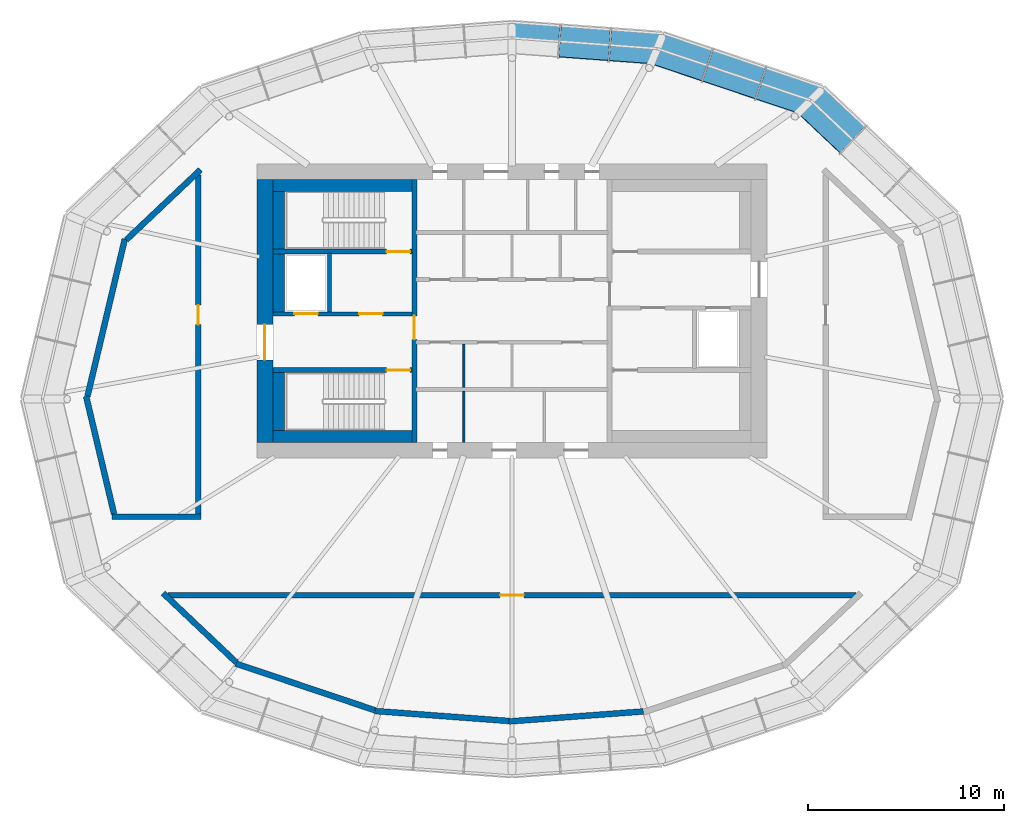
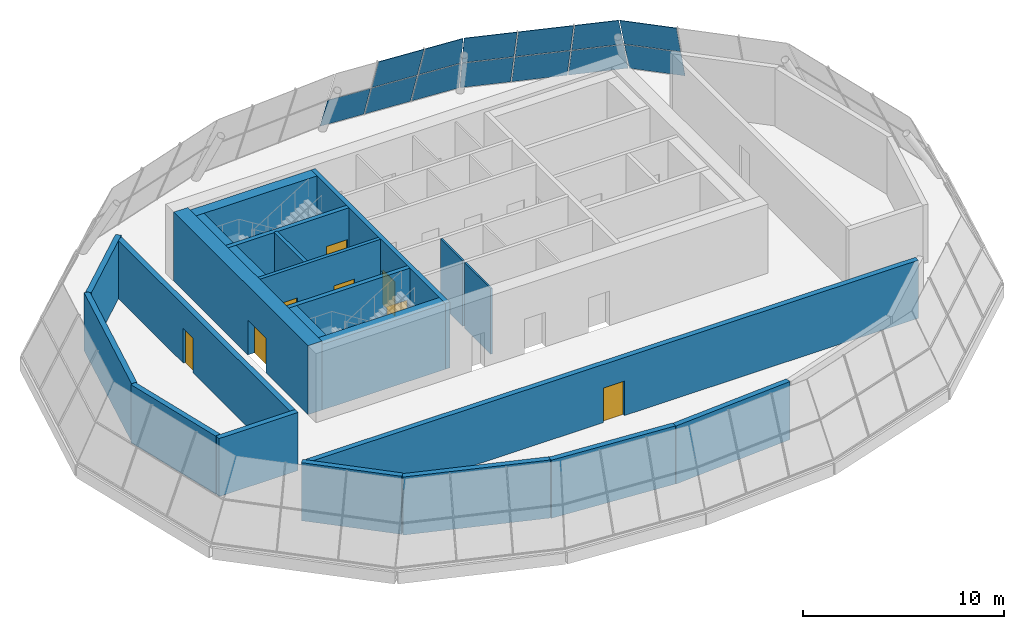
# One storey, part 5 of 8: 23 walls, 13 plates, 8 doors, 8 openings, 3 elements without a shape of their own.
"""IFC4 building model written with IfcOpenShell, lengths in metres."""

import ifcopenshell
import ifcopenshell.guid

model = None  # the IFC model being written
_history = None  # IfcOwnerHistory: only IFC2X3 demands one
_inside = {}  # id of a spatial element -> (the spatial element, [elements in it])
_under = {}  # id of a project, library or spatial element -> (it, [spatial elements below it])
_declared = {}  # id of a project -> (the project, [libraries it declares])
_typed = {}  # id of a type object -> (the type object, [elements of that type])
_made_of = {}  # id of a material, layer set ... -> (it, [elements and type objects made of it])


def new_model(schema):
    """Start an empty IFC model of exactly this schema.

    Asked for "IFC4X3", IfcOpenShell would pick the latest addendum, in which some entities
    have other attributes; the version numbers below select the first issue.
    IFC2X3 requires an IfcOwnerHistory on every rooted entity: one is made here for all.
    """
    global model, _history
    if schema == "IFC4X3":
        model = ifcopenshell.file(schema_version=(4, 3, 0, 0))
    else:
        model = ifcopenshell.file(schema=schema)
    _inside.clear()
    _under.clear()
    _declared.clear()
    _typed.clear()
    _made_of.clear()
    _history = None
    if model.schema == "IFC2X3":
        org = make("IfcOrganization", Name="unknown")
        user = make(
            "IfcPersonAndOrganization",
            ThePerson=make("IfcPerson", FamilyName="unknown"),
            TheOrganization=org,
        )
        app = make(
            "IfcApplication",
            ApplicationDeveloper=org,
            Version="unknown",
            ApplicationFullName="unknown",
            ApplicationIdentifier="unknown",
        )
        _history = make(
            "IfcOwnerHistory",
            OwningUser=user,
            OwningApplication=app,
            ChangeAction="ADDED",
            CreationDate=0,
        )
    return model


def make(cls, **values):
    """One entity of the class cls with the attributes given. An attribute that is None is left unset."""
    return model.create_entity(
        cls, **{name: value for name, value in values.items() if value is not None}
    )


def rooted(cls, **values):
    """An entity with a GlobalId (a new one), such as an element, a storey or a relation."""
    return make(cls, GlobalId=ifcopenshell.guid.new(), OwnerHistory=_history, **values)


def si_unit(unit_type, name, prefix=None):
    """IfcSIUnit, for example si_unit("LENGTHUNIT", "METRE", prefix="MILLI")."""
    return make("IfcSIUnit", UnitType=unit_type, Prefix=prefix, Name=name)


def assignment(units):
    """IfcUnitAssignment: the units of a project."""
    return None if units is None else make("IfcUnitAssignment", Units=units)


def point(xyz):
    """IfcCartesianPoint."""
    return None if xyz is None else make("IfcCartesianPoint", Coordinates=xyz)


def direction(xyz):
    """IfcDirection."""
    return None if xyz is None else make("IfcDirection", DirectionRatios=xyz)


def frame(location, z_axis=None, x_axis=None):
    """IfcAxis2Placement3D, a coordinate frame: its origin and axes. An axis left out is left unset."""
    return make(
        "IfcAxis2Placement3D",
        Location=point(location),
        Axis=direction(z_axis),
        RefDirection=direction(x_axis),
    )


def frame_2d(location, x_axis=None):
    """IfcAxis2Placement2D, a coordinate frame in the plane: its origin and x axis."""
    return make(
        "IfcAxis2Placement2D", Location=point(location), RefDirection=direction(x_axis)
    )


def origin():
    """The frame at (0, 0, 0) with its axes left unset."""
    return frame((0.0, 0.0, 0.0))


def place(relative_to, where):
    """IfcLocalPlacement: puts the frame where relative to a parent placement (None: the world)."""
    return make(
        "IfcLocalPlacement", PlacementRelTo=relative_to, RelativePlacement=where
    )


def context(
    kind, dimensions, precision=None, world=None, true_north=None, identifier=None
):
    """IfcGeometricRepresentationContext, for example the 3D "Model" context."""
    return make(
        "IfcGeometricRepresentationContext",
        ContextIdentifier=identifier,
        ContextType=kind,
        CoordinateSpaceDimension=dimensions,
        Precision=precision,
        WorldCoordinateSystem=world,
        TrueNorth=true_north,
    )


def subcontext(parent, identifier, kind, view, scale=None):
    """IfcGeometricRepresentationSubContext, for example "Body" below "Model"."""
    return make(
        "IfcGeometricRepresentationSubContext",
        ContextIdentifier=identifier,
        ContextType=kind,
        ParentContext=parent,
        TargetScale=scale,
        TargetView=view,
    )


def project(units=None, contexts=None):
    """IfcProject with its units and contexts."""
    return rooted(
        "IfcProject",
        Name="project",
        RepresentationContexts=contexts,
        UnitsInContext=assignment(units),
    )


def spatial(cls, under=None, at=None, **own):
    """A site, building, storey or space (cls), placed at a placement, below another one or the project."""
    s = rooted(cls, ObjectPlacement=at, **own)
    if under is not None:
        _under.setdefault(under.id(), (under, []))[1].append(s)
    return s


def polyline(points):
    """IfcPolyline through the points."""
    return make("IfcPolyline", Points=[point(p) for p in points])


def profile(cls, at=None, kind="AREA", **sizes):
    """A parametric profile (cls). Its sizes go by their IFC names, for example OverallWidth=200.0."""
    return make(cls, ProfileType=kind, Position=at, **sizes)


def rectangle(**sizes):
    """IfcRectangleProfileDef."""
    return profile("IfcRectangleProfileDef", **sizes)


def outline(outer, holes=None, kind="AREA"):
    """IfcArbitraryClosedProfileDef: a profile drawn as a closed curve; with holes, ...WithVoids."""
    if holes is None:
        return make("IfcArbitraryClosedProfileDef", ProfileType=kind, OuterCurve=outer)
    return make(
        "IfcArbitraryProfileDefWithVoids",
        ProfileType=kind,
        OuterCurve=outer,
        InnerCurves=holes,
    )


def extrude(swept, where, along, depth):
    """IfcExtrudedAreaSolid: the profile swept, set in the frame where, extruded along a direction by depth."""
    return make(
        "IfcExtrudedAreaSolid",
        SweptArea=swept,
        Position=where,
        ExtrudedDirection=direction(along),
        Depth=depth,
    )


def shape(context_of_items, identifier, shape_type, items):
    """IfcShapeRepresentation: the items that make up one representation, for example the "Body"."""
    return make(
        "IfcShapeRepresentation",
        ContextOfItems=context_of_items,
        RepresentationIdentifier=identifier,
        RepresentationType=shape_type,
        Items=items,
    )


def material(Name=None, Category=None):
    """IfcMaterial."""
    return make("IfcMaterial", Name=Name, Category=Category)


def layer(
    of_material, thickness, ventilated=None, Name=None, Category=None, Priority=None
):
    """IfcMaterialLayer: one layer of a wall or slab, of a material (None: an air gap)."""
    return make(
        "IfcMaterialLayer",
        Material=of_material,
        LayerThickness=thickness,
        IsVentilated=ventilated,
        Name=Name,
        Category=Category,
        Priority=Priority,
    )


def layer_set(layers, Name=None):
    """IfcMaterialLayerSet."""
    return make("IfcMaterialLayerSet", MaterialLayers=layers, LayerSetName=Name)


def made_of(thing, what):
    """Note that an element or type object is made of a material, layer set ...; save() writes the relation."""
    if what is not None:
        _made_of.setdefault(what.id(), (what, []))[1].append(thing)
    return thing


def type_object(cls, material=None, **own):
    """A type object (cls), such as IfcWallType, which elements share."""
    return made_of(rooted(cls, **own), material)


def element(
    cls,
    number,
    at=None,
    inside=None,
    cuts=None,
    type_object=None,
    material=None,
    context=None,
    identifier="Body",
    shape_type=None,
    held_by="IfcProductDefinitionShape",
    body=None,
    shapes=None,
    **own,
):
    """One element of the class cls, such as IfcWall. Its Tag is "e" and its number.

    at: its placement. inside: the storey or other place that contains it. cuts: it is an
    opening in that element (IfcRelVoidsElement). A single representation is given by context,
    identifier, shape_type and body (its items); several are given by shapes. held_by: the class
    of the entity that holds the representations. save() writes the other relations.
    """
    e = rooted(cls, Tag="e%d" % number, ObjectPlacement=at, **own)
    if body is not None:
        shapes = [shape(context, identifier, shape_type, body)]
    if shapes is not None:
        e.Representation = make(held_by, Representations=shapes)
    if inside is not None:
        _inside.setdefault(inside.id(), (inside, []))[1].append(e)
    if cuts is not None:
        rooted(
            "IfcRelVoidsElement", RelatingBuildingElement=cuts, RelatedOpeningElement=e
        )
    if type_object is not None:
        _typed.setdefault(type_object.id(), (type_object, []))[1].append(e)
    return made_of(e, material)


def fill(opening, filler):
    """IfcRelFillsElement: the door or window that sits in an opening."""
    return rooted(
        "IfcRelFillsElement",
        RelatingOpeningElement=opening,
        RelatedBuildingElement=filler,
    )


def aggregate(whole, parts):
    """IfcRelAggregates: a whole, such as a stair, and the parts it consists of."""
    return rooted("IfcRelAggregates", RelatingObject=whole, RelatedObjects=parts)


def save(model, path):
    """Write the relations noted so far, then the file.

    IfcRelAggregates (storeys below a building ...), IfcRelContainedInSpatialStructure (elements
    in a storey), IfcRelDefinesByType, IfcRelAssociatesMaterial and IfcRelDeclares: one each for
    every whole, place, type object, material and project.
    """
    for whole, parts in _under.values():
        aggregate(whole, parts)
    for where, things in _inside.values():
        rooted(
            "IfcRelContainedInSpatialStructure",
            RelatedElements=things,
            RelatingStructure=where,
        )
    for kind, things in _typed.values():
        rooted("IfcRelDefinesByType", RelatedObjects=things, RelatingType=kind)
    for what, things in _made_of.values():
        rooted("IfcRelAssociatesMaterial", RelatedObjects=things, RelatingMaterial=what)
    for by, libraries in _declared.values():
        rooted("IfcRelDeclares", RelatingContext=by, RelatedDefinitions=libraries)
    model.write(path)


model = new_model("IFC4")

# Units and contexts
model_context = context("Model", 3, precision=1e-05, world=origin(), true_north=direction((0.0, 1.0)))
body_context = subcontext(model_context, "Body", "Model", "MODEL_VIEW")
ifc_project = project(units=[si_unit("LENGTHUNIT", "METRE"), si_unit("AREAUNIT", "SQUARE_METRE"), si_unit("VOLUMEUNIT", "CUBIC_METRE"), si_unit("PLANEANGLEUNIT", "RADIAN"), si_unit("MASSUNIT", "GRAM", prefix="KILO")], contexts=[model_context])

# Site, building, storey
site_placement = place(None, origin())
site = spatial("IfcSite", under=ifc_project, at=site_placement, CompositionType="ELEMENT")
building_placement = place(site_placement, origin())
building = spatial("IfcBuilding", under=site, at=building_placement, Name="Rubra Terraces Tower", CompositionType="ELEMENT")
storey_placement = place(building_placement, frame((0.0, 0.0, 312.0)))
storey = spatial("IfcBuildingStorey", under=building, at=storey_placement, Name="L77", CompositionType="ELEMENT", Elevation=312.0)

# Curtain wall, plates
ifc_material_1 = material(Name="Aluminium and glass", Category="aluminium")
curtain_wall_type = type_object("IfcCurtainWallType", Name="Curtain wall Crown glazing", PredefinedType="NOTDEFINED", material=ifc_material_1)
curtain_wall_1_placement = place(storey_placement, origin())
curtain_wall_1 = element("IfcCurtainWall", 1, at=curtain_wall_1_placement, inside=storey, type_object=curtain_wall_type, Name="Crown glazing L77 facet 2", PredefinedType="NOTDEFINED")
ifc_material_2 = material(Name="Clear glass, laminated", Category="glass")
ifc_layer_1 = layer(ifc_material_2, 0.028076171875)
ifc_layer_set_1 = layer_set([ifc_layer_1], Name="Clear glass, laminated")
plate_type = type_object("IfcPlateType", Name="Crown glazing glass panel 28", PredefinedType="CURTAIN_PANEL", material=ifc_layer_set_1)
plate_1_placement = place(storey_placement, frame((17.989501953125, 13.90234375, 0.027099609375), z_axis=(0.628256525752, 0.664536456199, 0.404580073944), x_axis=(-0.726664908694, 0.686992074532, 1.711098e-06)))
plate_1 = element("IfcPlate", 2, at=plate_1_placement, type_object=plate_type, Name="Crown glazing L77 facet 2 panel 3.1", PredefinedType="CURTAIN_PANEL", context=body_context, shape_type="SweptSolid", body=[
    extrude(outline(polyline([(0.0, 0.0), (2.861145399046734, -1.1102230246251565e-16), (2.886722346088718, 2.2371653716130164), (1.7874183817282263e-05, 2.2371761262396914), (0.0, 0.0)])), origin(), (0.0, 0.0, -1.0), 0.028076171875),
])
plate_2_placement = place(storey_placement, frame((17.351318359375, 13.227294921875, 2.126953125), z_axis=(0.628267411429, 0.664569872763, 0.404508274268), x_axis=(-0.726679479738, 0.686976661592, 1.2467207e-05)))
plate_2 = element("IfcPlate", 3, at=plate_2_placement, type_object=plate_type, Name="Crown glazing L77 facet 2 panel 3.2", PredefinedType="CURTAIN_PANEL", context=body_context, shape_type="SweptSolid", body=[
    extrude(outline(polyline([(0.0, 0.0), (2.887227013584692, 0.0), (2.912667755000398, 2.2373203275699547), (5.908110931356134e-05, 2.237399392671032), (0.0, 0.0)])), origin(), (0.0, 0.0, -1.0), 0.028076171875),
])
aggregate(curtain_wall_1, [plate_1, plate_2])

curtain_wall_2_placement = place(storey_placement, origin())
curtain_wall_2 = element("IfcCurtainWall", 4, at=curtain_wall_2_placement, inside=storey, type_object=curtain_wall_type, Name="Crown glazing L77 facet 3", PredefinedType="NOTDEFINED")
plate_3_placement = place(storey_placement, frame((15.860107421875, 15.89794921875, 0.02734375), z_axis=(0.296234093175, 0.881158727434, 0.368516836939), x_axis=(-0.947867821602, 0.318663761232, -7.02748e-06)))
plate_3 = element("IfcPlate", 5, at=plate_3_placement, type_object=plate_type, Name="Crown glazing L77 facet 3 panel 1.1", PredefinedType="CURTAIN_PANEL", context=body_context, shape_type="SweptSolid", body=[
    extrude(outline(polyline([(0.0, 0.0), (3.044474472282451, 0.0), (3.0443845713288757, 2.200022641085137), (0.40253083722308575, 2.1999796552270157), (0.0, 0.0)])), origin(), (0.0, 0.0, -1.0), 0.028076171875),
])
plate_4_placement = place(storey_placement, frame((15.202880859375, 15.24072265625, 2.12744140625), z_axis=(0.296246481062, 0.881173318333, 0.368471987423), x_axis=(-0.947867179115, 0.318665672305, 7.133303e-06)))
plate_4 = element("IfcPlate", 6, at=plate_4_placement, type_object=plate_type, Name="Crown glazing L77 facet 3 panel 1.2", PredefinedType="CURTAIN_PANEL", context=body_context, shape_type="SweptSolid", body=[
    extrude(outline(polyline([(0.0, 0.0), (2.6310452034559533, 0.0), (2.631060428171815, 2.1999373669891185), (0.4025581639045687, 2.199974655258179), (0.0, 0.0)])), origin(), (0.0, 0.0, -1.0), 0.028076171875),
])
plate_5_placement = place(storey_placement, frame((12.91748046875, 16.88720703125, 0.02734375), z_axis=(0.29621128225, 0.881175144256, 0.368495917771), x_axis=(-0.947876135032, 0.318639031567, -1.4082204e-05)))
plate_5 = element("IfcPlate", 7, at=plate_5_placement, type_object=plate_type, Name="Crown glazing L77 facet 3 panel 2.1", PredefinedType="CURTAIN_PANEL", context=body_context, shape_type="SweptSolid", body=[
    extrude(outline(polyline([(0.0, 0.0), (2.8147144056664866, 1.1102230246251565e-16), (2.8146312300967358, 2.200022639486136), (-5.382837435225247e-06, 2.199937364995168), (0.0, 0.0)])), origin(), (0.0, 0.0, -1.0), 0.028076171875),
])
plate_6_placement = place(storey_placement, frame((12.652099609375, 16.098388671875, 2.12744140625), z_axis=(0.296235637912, 0.881166956708, 0.36849591753), x_axis=(-0.947870885192, 0.318654648179, 1.4083621e-05)))
plate_6 = element("IfcPlate", 8, at=plate_6_placement, type_object=plate_type, Name="Crown glazing L77 facet 3 panel 2.2", PredefinedType="CURTAIN_PANEL", context=body_context, shape_type="SweptSolid", body=[
    extrude(outline(polyline([(0.0, 0.0), (2.814405196596597, 0.0), (2.8144440631014556, 2.199937364658474), (-3.893004010714266e-05, 2.200022640714043), (0.0, 0.0)])), origin(), (0.0, 0.0, -1.0), 0.028076171875),
])
plate_7_placement = place(storey_placement, frame((10.19287109375, 17.80322265625, 0.02734375), z_axis=(0.29625846995, 0.881160070213, 0.368494029322), x_axis=(-0.947860380314, 0.318685894592, -4.394256e-06)))
plate_7 = element("IfcPlate", 9, at=plate_7_placement, type_object=plate_type, Name="Crown glazing L77 facet 3 panel 3.1", PredefinedType="CURTAIN_PANEL", context=body_context, shape_type="SweptSolid", body=[
    extrude(outline(polyline([(0.0, 0.0), (2.58009070375734, 5.551115123125783e-17), (2.6356517848046375, 2.1999906896328976), (0.00020576703896977585, 2.199966036384982), (0.0, 0.0)])), origin(), (0.0, 0.0, -1.0), 0.028076171875),
])
plate_8_placement = place(storey_placement, frame((9.927490234375, 17.014404296875, 2.12744140625), z_axis=(0.296198699979, 0.881186874261, 0.368477981378), x_axis=(-0.94788592939, 0.318609893796, 2.0960793e-05)))
plate_8 = element("IfcPlate", 10, at=plate_8_placement, type_object=plate_type, Name="Crown glazing L77 facet 3 panel 3.2", PredefinedType="CURTAIN_PANEL", context=body_context, shape_type="SweptSolid", body=[
    extrude(outline(polyline([(0.0, 0.0), (2.637143719623638, 1.1102230246251565e-16), (2.6928994444949605, 2.199902460752418), (1.3417037047685493e-05, 2.2000226385326114), (0.0, 0.0)])), origin(), (0.0, 0.0, -1.0), 0.028076171875),
])
aggregate(curtain_wall_2, [plate_3, plate_4, plate_5, plate_6, plate_7, plate_8])

curtain_wall_3_placement = place(storey_placement, origin())
curtain_wall_3 = element("IfcCurtainWall", 11, at=curtain_wall_3_placement, inside=storey, type_object=curtain_wall_type, Name="Crown glazing L77 facet 4", PredefinedType="NOTDEFINED")
plate_9_placement = place(storey_placement, frame((7.688720703125, 18.636962890625, 0.02783203125), z_axis=(0.069206662703, 0.933052476358, 0.353020557758), x_axis=(-0.997260163189, 0.073974095077, -1.3214123e-05)))
plate_9 = element("IfcPlate", 12, at=plate_9_placement, type_object=plate_type, Name="Crown glazing L77 facet 4 panel 1.1", PredefinedType="CURTAIN_PANEL", context=body_context, shape_type="SweptSolid", body=[
    extrude(outline(polyline([(0.0, 0.0), (2.6192436321889216, 1.3877787807814457e-17), (2.619281684616411, 2.184897452464769), (0.25465732711795225, 2.1848270630340303), (0.0, 0.0)])), origin(), (0.0, 0.0, -1.0), 0.028076171875),
])
plate_10_placement = place(storey_placement, frame((7.369384765625, 17.8662109375, 2.1279296875), z_axis=(0.069176424188, 0.933036862738, 0.35306774861), x_axis=(-0.997262875252, 0.07393752525, 1.821428e-06)))
plate_10 = element("IfcPlate", 13, at=plate_10_placement, type_object=plate_type, Name="Crown glazing L77 facet 4 panel 1.2", PredefinedType="CURTAIN_PANEL", context=body_context, shape_type="SweptSolid", body=[
    extrude(outline(polyline([(0.0, 0.0), (2.357771031392554, 0.0), (2.3578681069698004, 2.184897452805448), (0.25469829132595107, 2.184906137396346), (0.0, 0.0)])), origin(), (0.0, 0.0, -1.0), 0.028076171875),
])
plate_11_placement = place(storey_placement, frame((5.016845703125, 18.835205078125, 0.02783203125), z_axis=(0.069214439714, 0.933036013899, 0.353062541346), x_axis=(-0.997259822598, 0.073978687685, 0.0)))
plate_11 = element("IfcPlate", 14, at=plate_11_placement, type_object=plate_type, Name="Crown glazing L77 facet 4 panel 2.1", PredefinedType="CURTAIN_PANEL", context=body_context, shape_type="SweptSolid", body=[
    extrude(outline(polyline([(0.0, 0.0), (2.5213131421702224, 0.0), (2.5213746542779853, 2.1848974541299673), (6.15121077630551e-05, 2.1848974541299673), (0.0, 0.0)])), origin(), (0.0, 0.0, -1.0), 0.028076171875),
])
plate_12_placement = place(storey_placement, frame((4.958251953125, 18.044921875, 2.1279296875), z_axis=(0.069257608522, 0.93305263436, 0.353010148828), x_axis=(-0.99725699308, 0.074016818759, 1.7128948e-05)))
plate_12 = element("IfcPlate", 15, at=plate_12_placement, type_object=plate_type, Name="Crown glazing L77 facet 4 panel 2.2", PredefinedType="CURTAIN_PANEL", context=body_context, shape_type="SweptSolid", body=[
    extrude(outline(polyline([(0.0, 0.0), (2.52155661090286, 0.0), (2.521398242001612, 2.184805127365073), (6.703153193581326e-05, 2.1848974505417953), (0.0, 0.0)])), origin(), (0.0, 0.0, -1.0), 0.028076171875),
])
plate_13_placement = place(storey_placement, frame((2.4423828125, 19.026123046875, 0.02783203125), z_axis=(0.069176093362, 0.933065110113, 0.352993156303), x_axis=(-0.997262679035, 0.073940170798, -1.2060904e-05)))
plate_13 = element("IfcPlate", 16, at=plate_13_placement, type_object=plate_type, Name="Crown glazing L77 facet 4 panel 3.1", PredefinedType="CURTAIN_PANEL", context=body_context, shape_type="SweptSolid", body=[
    extrude(outline(polyline([(0.0, 0.0), (2.4192255711481754, 0.0), (2.362012815522783, 2.1848667649161087), (-0.00015876947070072838, 2.1848051291983146), (0.0, 0.0)])), origin(), (0.0, 0.0, -1.0), 0.028076171875),
])
aggregate(curtain_wall_3, [plate_9, plate_10, plate_11, plate_12, plate_13])

# Wall, opening, door
ifc_material_3 = material(Name="Concrete C50", Category="concrete")
ifc_layer_2 = layer(ifc_material_3, 0.800048828125)
ifc_layer_set_2 = layer_set([ifc_layer_2], Name="Concrete C50")
wall_type_1 = type_object("IfcWallType", Name="CORE WALL 800 C50", PredefinedType="SHEAR", material=ifc_layer_set_2)
wall_1_placement = place(storey_placement, frame((-12.60009765625, -2.199951171875, 0.0), z_axis=(0.0, 0.0, 1.0), x_axis=(0.0, 1.0, 0.0)))
wall_1 = element("IfcWall", 17, at=wall_1_placement, inside=storey, type_object=wall_type_1, Name="CORE WALL W L77", PredefinedType="SHEAR", context=body_context, shape_type="SweptSolid", body=[
    extrude(rectangle(XDim=13.39990234375, YDim=0.800048828125, at=frame_2d((6.699951171875, 0.0))), origin(), (0.0, 0.0, 1.0), 4.199951171875),
])
opening_1_placement = place(wall_1_placement, frame((4.199951171875, 0.0, 0.0)))
opening_1 = element("IfcOpeningElement", 18, at=opening_1_placement, cuts=wall_1, Name="Opening L77.C01", PredefinedType="OPENING", context=body_context, shape_type="SweptSolid", body=[
    extrude(rectangle(XDim=1.800048828125, YDim=2.10009765625, at=frame_2d((0.89990234375, 1.050048828125))), frame((0.0, 0.409912109375, 0.0), z_axis=(0.0, -1.0, 0.0), x_axis=(1.0, 0.0, 0.0)), (0.0, 0.0, 1.0), 0.820068359375),
])
ifc_material_4 = material(Name="Painted steel", Category="steel")
door_type_1 = type_object("IfcDoorType", Name="Fire door 1800x2100 double", OperationType="NOTDEFINED", PredefinedType="DOOR", material=ifc_material_4)
door_1_placement = place(opening_1_placement, origin())
door_1 = element("IfcDoor", 19, at=door_1_placement, inside=storey, type_object=door_type_1, Name="Core entrance door FF1", OperationType="DOUBLE_DOOR_SINGLE_SWING", OverallHeight=2.10009765625, OverallWidth=1.800048828125, PredefinedType="DOOR", context=body_context, shape_type="SweptSolid", body=[
    extrude(rectangle(XDim=1.800048828125, YDim=2.10009765625, at=frame_2d((0.89990234375, 1.050048828125))), frame((0.0, 0.02490234375, 0.0), z_axis=(0.0, -1.0, 0.0), x_axis=(1.0, 0.0, 0.0)), (0.0, 0.0, 1.0), 0.050048828125),
])
fill(opening_1, door_1)

# Walls
ifc_material_5 = material(Name="Concrete C40", Category="concrete")
ifc_layer_3 = layer(ifc_material_5, 0.60009765625)
ifc_layer_set_3 = layer_set([ifc_layer_3], Name="Concrete C40")
wall_type_2 = type_object("IfcWallType", Name="Core lining wall 600 concrete", PredefinedType="SOLIDWALL", material=ifc_layer_set_3)
wall_2_placement = place(storey_placement, frame((-12.199951171875, -1.89990234375, 0.0), z_axis=(0.0, 0.0, 1.0), x_axis=(1.0, 0.0, 0.0)))
element("IfcWall", 20, at=wall_2_placement, inside=storey, type_object=wall_type_2, Name="CORE LINING WALL L77", PredefinedType="SOLIDWALL", context=body_context, shape_type="SweptSolid", body=[
    extrude(rectangle(XDim=7.099853515625, YDim=0.60009765625, at=frame_2d((3.5498046875, 0.0))), origin(), (0.0, 0.0, 1.0), 4.0),
])
wall_3_placement = place(storey_placement, frame((-11.89990234375, -1.60009765625, 0.0), z_axis=(0.0, 0.0, 1.0), x_axis=(0.0, 1.0, 0.0)))
element("IfcWall", 21, at=wall_3_placement, inside=storey, type_object=wall_type_2, Name="CORE LINING WALL L77", PredefinedType="SOLIDWALL", context=body_context, shape_type="SweptSolid", body=[
    extrude(rectangle(XDim=2.9501953125, YDim=0.60009765625, at=frame_2d((1.47509765625, 0.0))), origin(), (0.0, 0.0, 1.0), 4.0),
])
wall_4_placement = place(storey_placement, frame((-11.89990234375, 4.449951171875, 0.0), z_axis=(0.0, 0.0, 1.0), x_axis=(0.0, 1.0, 0.0)))
element("IfcWall", 22, at=wall_4_placement, inside=storey, type_object=wall_type_2, Name="CORE LINING WALL L77", PredefinedType="SOLIDWALL", context=body_context, shape_type="SweptSolid", body=[
    extrude(rectangle(XDim=3.0, YDim=0.60009765625, at=frame_2d((1.5, 0.0))), origin(), (0.0, 0.0, 1.0), 4.0),
])
wall_5_placement = place(storey_placement, frame((-11.89990234375, 7.64990234375, 0.0), z_axis=(0.0, 0.0, 1.0), x_axis=(0.0, 1.0, 0.0)))
element("IfcWall", 23, at=wall_5_placement, inside=storey, type_object=wall_type_2, Name="CORE LINING WALL L77", PredefinedType="SOLIDWALL", context=body_context, shape_type="SweptSolid", body=[
    extrude(rectangle(XDim=2.9501953125, YDim=0.60009765625, at=frame_2d((1.47509765625, 0.0))), origin(), (0.0, 0.0, 1.0), 4.0),
])
wall_6_placement = place(storey_placement, frame((-12.199951171875, 10.89990234375, 0.0), z_axis=(0.0, 0.0, 1.0), x_axis=(1.0, 0.0, 0.0)))
element("IfcWall", 24, at=wall_6_placement, inside=storey, type_object=wall_type_2, Name="CORE LINING WALL L77", PredefinedType="SOLIDWALL", context=body_context, shape_type="SweptSolid", body=[
    extrude(rectangle(XDim=7.099853515625, YDim=0.60009765625, at=frame_2d((3.5498046875, 0.0))), origin(), (0.0, 0.0, 1.0), 4.0),
])

# Wall, openings, doors
ifc_material_6 = material(Name="Concrete C30", Category="concrete")
ifc_layer_4 = layer(ifc_material_6, 0.199951171875)
ifc_layer_set_4 = layer_set([ifc_layer_4], Name="Concrete C30")
wall_type_3 = type_object("IfcWallType", Name="Core wall 200 concrete", PredefinedType="SOLIDWALL", material=ifc_layer_set_4)
wall_7_placement = place(storey_placement, frame((-12.199951171875, 4.35009765625, 0.0), z_axis=(0.0, 0.0, 1.0), x_axis=(1.0, 0.0, 0.0)))
wall_7 = element("IfcWall", 25, at=wall_7_placement, inside=storey, type_object=wall_type_3, Name="STAIR WALL L77", PredefinedType="SOLIDWALL", context=body_context, shape_type="SweptSolid", body=[
    extrude(rectangle(XDim=7.099853515625, YDim=0.199951171875, at=frame_2d((3.5498046875, 0.0))), origin(), (0.0, 0.0, 1.0), 4.0),
])
opening_2_placement = place(wall_7_placement, frame((4.39990234375, 0.0, 0.0)))
opening_2 = element("IfcOpeningElement", 26, at=opening_2_placement, cuts=wall_7, Name="Opening L77.C05", PredefinedType="OPENING", context=body_context, shape_type="SweptSolid", body=[
    extrude(rectangle(XDim=1.199951171875, YDim=2.10009765625, at=frame_2d((0.60009765625, 1.050048828125))), frame((0.0, 0.10986328125, 0.0), z_axis=(0.0, -1.0, 0.0), x_axis=(1.0, 0.0, 0.0)), (0.0, 0.0, 1.0), 0.219970703125),
])
opening_3_placement = place(wall_7_placement, frame((1.10009765625, 0.0, 0.0)))
opening_3 = element("IfcOpeningElement", 27, at=opening_3_placement, cuts=wall_7, Name="Opening L77.C11", PredefinedType="OPENING", context=body_context, shape_type="SweptSolid", body=[
    extrude(rectangle(XDim=1.199951171875, YDim=2.10009765625, at=frame_2d((0.60009765625, 1.050048828125))), frame((0.0, 0.10986328125, 0.0), z_axis=(0.0, -1.0, 0.0), x_axis=(1.0, 0.0, 0.0)), (0.0, 0.0, 1.0), 0.219970703125),
])
door_type_2 = type_object("IfcDoorType", Name="Fire door 1200x2100 single", OperationType="NOTDEFINED", PredefinedType="DOOR", material=ifc_material_4)
door_2_placement = place(opening_2_placement, origin())
door_2 = element("IfcDoor", 28, at=door_2_placement, inside=storey, type_object=door_type_2, Name="Stair vestibule door S2", OperationType="SINGLE_SWING_LEFT", OverallHeight=2.10009765625, OverallWidth=1.199951171875, PredefinedType="DOOR", context=body_context, shape_type="SweptSolid", body=[
    extrude(rectangle(XDim=1.199951171875, YDim=2.10009765625, at=frame_2d((0.60009765625, 1.050048828125))), frame((0.0, 0.02490234375, 0.0), z_axis=(0.0, -1.0, 0.0), x_axis=(1.0, 0.0, 0.0)), (0.0, 0.0, 1.0), 0.050048828125),
])
fill(opening_2, door_2)
ifc_material_7 = material(Name="Stainless steel", Category="steel")
door_type_3 = type_object("IfcDoorType", Name="Lift landing door 1200x2100", OperationType="NOTDEFINED", PredefinedType="DOOR", material=ifc_material_7)
door_3_placement = place(opening_3_placement, origin())
door_3 = element("IfcDoor", 29, at=door_3_placement, inside=storey, type_object=door_type_3, Name="Landing door FF1", OperationType="SLIDING_TO_RIGHT", OverallHeight=2.10009765625, OverallWidth=1.199951171875, PredefinedType="DOOR", context=body_context, shape_type="SweptSolid", body=[
    extrude(rectangle(XDim=1.199951171875, YDim=2.10009765625, at=frame_2d((0.60009765625, 1.050048828125))), frame((0.0, 0.02490234375, 0.0), z_axis=(0.0, -1.0, 0.0), x_axis=(1.0, 0.0, 0.0)), (0.0, 0.0, 1.0), 0.050048828125),
])
fill(opening_3, door_3)

# Walls
wall_8_placement = place(storey_placement, frame((-9.300048828125, 4.449951171875, 0.0), z_axis=(0.0, 0.0, 1.0), x_axis=(0.0, 1.0, 0.0)))
element("IfcWall", 30, at=wall_8_placement, inside=storey, type_object=wall_type_3, Name="STAIR WALL L77", PredefinedType="SOLIDWALL", context=body_context, shape_type="SweptSolid", body=[
    extrude(rectangle(XDim=3.0, YDim=0.199951171875, at=frame_2d((1.5, 0.0))), origin(), (0.0, 0.0, 1.0), 4.0),
])
ifc_material_8 = material(Name="Blockwork", Category="masonry")
ifc_layer_5 = layer(ifc_material_8, 0.300048828125)
ifc_layer_set_5 = layer_set([ifc_layer_5], Name="Blockwork")
wall_type_4 = type_object("IfcWallType", Name="Plant wall 300 blockwork", PredefinedType="SOLIDWALL", material=ifc_layer_set_5)
wall_9_placement = place(storey_placement, frame((-15.85009765625, -6.0, 0.0), z_axis=(0.0, 0.0, 1.0), x_axis=(-1.0, 0.0, 0.0)))
element("IfcWall", 31, at=wall_9_placement, inside=storey, type_object=wall_type_4, Name="Plant room wall", PredefinedType="SOLIDWALL", context=body_context, shape_type="SweptSolid", body=[
    extrude(rectangle(XDim=4.558837890625, YDim=0.300048828125, at=frame_2d((2.279296875, 0.0))), origin(), (0.0, 0.0, 1.0), 3.533935546875),
])
wall_10_placement = place(storey_placement, frame((-20.2939453125, -5.85400390625, 0.0), z_axis=(0.0, 0.0, 1.0), x_axis=(-0.231079925788, 0.972934770629, 0.0)))
element("IfcWall", 32, at=wall_10_placement, inside=storey, type_object=wall_type_4, Name="Plant room wall", PredefinedType="SOLIDWALL", context=body_context, shape_type="SweptSolid", body=[
    extrude(rectangle(XDim=6.1669921875, YDim=0.300048828125, at=frame_2d((3.08349609375, 0.0))), origin(), (0.0, 0.0, 1.0), 3.533935546875),
])
wall_11_placement = place(storey_placement, frame((-21.64892578125, 0.14599609375, 0.0), z_axis=(0.0, 0.0, 1.0), x_axis=(0.231043682951, 0.972943377884, 0.0)))
element("IfcWall", 33, at=wall_11_placement, inside=storey, type_object=wall_type_4, Name="Plant room wall", PredefinedType="SOLIDWALL", context=body_context, shape_type="SweptSolid", body=[
    extrude(rectangle(XDim=8.239990234375, YDim=0.300048828125, at=frame_2d((4.1201171875, 0.0))), origin(), (0.0, 0.0, 1.0), 3.533935546875),
])
wall_12_placement = place(storey_placement, frame((-19.6708984375, 8.1201171875, 0.0), z_axis=(0.0, 0.0, 1.0), x_axis=(0.726518435151, 0.687146973642, 0.0)))
element("IfcWall", 34, at=wall_12_placement, inside=storey, type_object=wall_type_4, Name="Plant room wall", PredefinedType="SOLIDWALL", context=body_context, shape_type="SweptSolid", body=[
    extrude(rectangle(XDim=5.20263671875, YDim=0.300048828125, at=frame_2d((2.601318359375, 0.0))), origin(), (0.0, 0.0, 1.0), 3.533935546875),
])

# Wall, opening, door
wall_13_placement = place(storey_placement, frame((-16.0, 11.44189453125, 0.0), z_axis=(0.0, 0.0, 1.0), x_axis=(0.0, -1.0, 0.0)))
wall_13 = element("IfcWall", 35, at=wall_13_placement, inside=storey, type_object=wall_type_4, Name="Plant room wall", PredefinedType="SOLIDWALL", context=body_context, shape_type="SweptSolid", body=[
    extrude(rectangle(XDim=17.2919921875, YDim=0.300048828125, at=frame_2d((8.64599609375, 0.0))), origin(), (0.0, 0.0, 1.0), 3.533935546875),
])
opening_4_placement = place(wall_13_placement, frame((6.64599609375, 0.0, 0.0)))
opening_4 = element("IfcOpeningElement", 36, at=opening_4_placement, cuts=wall_13, Name="Opening DB1", PredefinedType="OPENING", context=body_context, shape_type="SweptSolid", body=[
    extrude(rectangle(XDim=1.0, YDim=2.10009765625, at=frame_2d((0.5, 1.050048828125))), frame((0.0, 0.159912109375, 0.0), z_axis=(0.0, -1.0, 0.0), x_axis=(1.0, 0.0, 0.0)), (0.0, 0.0, 1.0), 0.320068359375),
])
ifc_material_9 = material(Name="Painted timber", Category="wood")
door_type_4 = type_object("IfcDoorType", Name="Door 1000x2100 single", OperationType="NOTDEFINED", PredefinedType="DOOR", material=ifc_material_9)
door_4_placement = place(opening_4_placement, origin())
door_4 = element("IfcDoor", 37, at=door_4_placement, inside=storey, type_object=door_type_4, Name="Plant room door L77-01", OperationType="SINGLE_SWING_LEFT", OverallHeight=2.10009765625, OverallWidth=1.0, PredefinedType="DOOR", context=body_context, shape_type="SweptSolid", body=[
    extrude(rectangle(XDim=1.0, YDim=2.10009765625, at=frame_2d((0.5, 1.050048828125))), frame((0.0, 0.02490234375, 0.0), z_axis=(0.0, -1.0, 0.0), x_axis=(1.0, 0.0, 0.0)), (0.0, 0.0, 1.0), 0.050048828125),
])
fill(opening_4, door_4)

# Walls
wall_14_placement = place(storey_placement, frame((6.695068359375, -15.927978515625, 0.0), z_axis=(0.0, 0.0, 1.0), x_axis=(-0.997246264305, -0.074161231982, 0.0)))
element("IfcWall", 38, at=wall_14_placement, inside=storey, type_object=wall_type_4, Name="Plant room wall", PredefinedType="SOLIDWALL", context=body_context, shape_type="SweptSolid", body=[
    extrude(rectangle(XDim=6.86376953125, YDim=0.300048828125, at=frame_2d((3.431884765625, 0.0))), origin(), (0.0, 0.0, 1.0), 3.533935546875),
])
wall_15_placement = place(storey_placement, frame((-0.14990234375, -16.4150390625, 0.0), z_axis=(0.0, 0.0, 1.0), x_axis=(-0.99724645992, 0.074158601503, 0.0)))
element("IfcWall", 39, at=wall_15_placement, inside=storey, type_object=wall_type_4, Name="Plant room wall", PredefinedType="SOLIDWALL", context=body_context, shape_type="SweptSolid", body=[
    extrude(rectangle(XDim=6.864013671875, YDim=0.300048828125, at=frame_2d((3.43212890625, 0.0))), origin(), (0.0, 0.0, 1.0), 3.533935546875),
])
wall_16_placement = place(storey_placement, frame((-6.987060546875, -15.868896484375, 0.0), z_axis=(0.0, 0.0, 1.0), x_axis=(-0.947934740842, 0.318464640273, 0.0)))
element("IfcWall", 40, at=wall_16_placement, inside=storey, type_object=wall_type_4, Name="Plant room wall", PredefinedType="SOLIDWALL", context=body_context, shape_type="SweptSolid", body=[
    extrude(rectangle(XDim=7.4951171875, YDim=0.300048828125, at=frame_2d((3.74755859375, 0.0))), origin(), (0.0, 0.0, 1.0), 3.533935546875),
])
wall_17_placement = place(storey_placement, frame((-14.05908203125, -13.427001953125, 0.0), z_axis=(0.0, 0.0, 1.0), x_axis=(-0.726575483066, 0.687086652037, 0.0)))
element("IfcWall", 41, at=wall_17_placement, inside=storey, type_object=wall_type_4, Name="Plant room wall", PredefinedType="SOLIDWALL", context=body_context, shape_type="SweptSolid", body=[
    extrude(rectangle(XDim=5.1376953125, YDim=0.300048828125, at=frame_2d((2.56884765625, 0.0))), origin(), (0.0, 0.0, 1.0), 3.533935546875),
])

# Wall, opening, door
wall_18_placement = place(storey_placement, frame((-17.532958984375, -10.0, 0.0), z_axis=(0.0, 0.0, 1.0), x_axis=(1.0, 0.0, 0.0)))
wall_18 = element("IfcWall", 42, at=wall_18_placement, inside=storey, type_object=wall_type_4, Name="Plant room wall", PredefinedType="SOLIDWALL", context=body_context, shape_type="SweptSolid", body=[
    extrude(rectangle(XDim=35.06591796875, YDim=0.300048828125, at=frame_2d((17.532958984375, 0.0))), origin(), (0.0, 0.0, 1.0), 3.533935546875),
])
opening_5_placement = place(wall_18_placement, frame((16.93310546875, 0.0, 0.0)))
opening_5 = element("IfcOpeningElement", 43, at=opening_5_placement, cuts=wall_18, Name="Opening DB2", PredefinedType="OPENING", context=body_context, shape_type="SweptSolid", body=[
    extrude(rectangle(XDim=1.199951171875, YDim=2.10009765625, at=frame_2d((0.60009765625, 1.050048828125))), frame((0.0, 0.159912109375, 0.0), z_axis=(0.0, -1.0, 0.0), x_axis=(1.0, 0.0, 0.0)), (0.0, 0.0, 1.0), 0.320068359375),
])
door_type_5 = type_object("IfcDoorType", Name="Door 1200x2100 plant", OperationType="NOTDEFINED", PredefinedType="DOOR", material=ifc_material_4)
door_5_placement = place(opening_5_placement, origin())
door_5 = element("IfcDoor", 44, at=door_5_placement, inside=storey, type_object=door_type_5, Name="Plant room door L77-03", OperationType="SINGLE_SWING_LEFT", OverallHeight=2.10009765625, OverallWidth=1.199951171875, PredefinedType="DOOR", context=body_context, shape_type="SweptSolid", body=[
    extrude(rectangle(XDim=1.199951171875, YDim=2.10009765625, at=frame_2d((0.60009765625, 1.050048828125))), frame((0.0, 0.02490234375, 0.0), z_axis=(0.0, -1.0, 0.0), x_axis=(1.0, 0.0, 0.0)), (0.0, 0.0, 1.0), 0.050048828125),
])
fill(opening_5, door_5)

# Walls
ifc_layer_6 = layer(ifc_material_8, 0.10009765625)
ifc_layer_set_6 = layer_set([ifc_layer_6], Name="Blockwork")
wall_type_5 = type_object("IfcWallType", Name="Service partition 100 blockwork", PredefinedType="PARTITIONING", material=ifc_layer_set_6)
wall_19_placement = place(storey_placement, frame((-2.449951171875, 0.60009765625, 0.0), z_axis=(0.0, 0.0, 1.0), x_axis=(0.0, 1.0, 0.0)))
element("IfcWall", 45, at=wall_19_placement, inside=storey, type_object=wall_type_5, Name="LIFT SHAFT WALL L77", PredefinedType="PARTITIONING", context=body_context, shape_type="SweptSolid", body=[
    extrude(rectangle(XDim=2.199951171875, YDim=0.10009765625, at=frame_2d((1.10009765625, 0.0))), origin(), (0.0, 0.0, 1.0), 4.0),
])
wall_20_placement = place(storey_placement, frame((-2.449951171875, -2.199951171875, 0.0), z_axis=(0.0, 0.0, 1.0), x_axis=(0.0, 1.0, 0.0)))
element("IfcWall", 46, at=wall_20_placement, inside=storey, type_object=wall_type_5, Name="SERVICE ROOM PARTITION L77", PredefinedType="PARTITIONING", context=body_context, shape_type="SweptSolid", body=[
    extrude(rectangle(XDim=2.599853515625, YDim=0.10009765625, at=frame_2d((1.2998046875, 0.0))), origin(), (0.0, 0.0, 1.0), 4.0),
])

# Wall, opening, door
ifc_layer_7 = layer(ifc_material_5, 0.25)
ifc_layer_set_7 = layer_set([ifc_layer_7], Name="Concrete C40")
wall_type_6 = type_object("IfcWallType", Name="Stair enclosure wall 250 concrete", PredefinedType="SOLIDWALL", material=ifc_layer_set_7)
wall_21_placement = place(storey_placement, frame((-12.199951171875, 1.47509765625, 0.0), z_axis=(0.0, 0.0, 1.0), x_axis=(1.0, 0.0, 0.0)))
wall_21 = element("IfcWall", 47, at=wall_21_placement, inside=storey, type_object=wall_type_6, Name="STAIR WALL L77", PredefinedType="SOLIDWALL", context=body_context, shape_type="SweptSolid", body=[
    extrude(rectangle(XDim=7.099853515625, YDim=0.25, at=frame_2d((3.5498046875, 0.0))), origin(), (0.0, 0.0, 1.0), 4.0),
])
opening_6_placement = place(wall_21_placement, frame((5.800048828125, 0.0, 0.0)))
opening_6 = element("IfcOpeningElement", 48, at=opening_6_placement, cuts=wall_21, Name="Opening L77.C07", PredefinedType="OPENING", context=body_context, shape_type="SweptSolid", body=[
    extrude(rectangle(XDim=1.199951171875, YDim=2.10009765625, at=frame_2d((0.60009765625, 1.050048828125))), frame((0.0, 0.135009765625, 0.0), z_axis=(0.0, -1.0, 0.0), x_axis=(1.0, 0.0, 0.0)), (0.0, 0.0, 1.0), 0.27001953125),
])
door_6_placement = place(opening_6_placement, origin())
door_6 = element("IfcDoor", 49, at=door_6_placement, inside=storey, type_object=door_type_2, Name="Stair door S1", OperationType="SINGLE_SWING_LEFT", OverallHeight=2.10009765625, OverallWidth=1.199951171875, PredefinedType="DOOR", context=body_context, shape_type="SweptSolid", body=[
    extrude(rectangle(XDim=1.199951171875, YDim=2.10009765625, at=frame_2d((0.60009765625, 1.050048828125))), frame((0.0, 0.02490234375, 0.0), z_axis=(0.0, -1.0, 0.0), x_axis=(1.0, 0.0, 0.0)), (0.0, 0.0, 1.0), 0.050048828125),
])
fill(opening_6, door_6)

wall_22_placement = place(storey_placement, frame((-12.199951171875, 7.52490234375, 0.0), z_axis=(0.0, 0.0, 1.0), x_axis=(1.0, 0.0, 0.0)))
wall_22 = element("IfcWall", 50, at=wall_22_placement, inside=storey, type_object=wall_type_6, Name="STAIR WALL L77", PredefinedType="SOLIDWALL", context=body_context, shape_type="SweptSolid", body=[
    extrude(rectangle(XDim=7.099853515625, YDim=0.25, at=frame_2d((3.5498046875, 0.0))), origin(), (0.0, 0.0, 1.0), 4.0),
])
opening_7_placement = place(wall_22_placement, frame((5.800048828125, 0.0, 0.0)))
opening_7 = element("IfcOpeningElement", 51, at=opening_7_placement, cuts=wall_22, Name="Opening L77.C09", PredefinedType="OPENING", context=body_context, shape_type="SweptSolid", body=[
    extrude(rectangle(XDim=1.199951171875, YDim=2.10009765625, at=frame_2d((0.60009765625, 1.050048828125))), frame((0.0, 0.135009765625, 0.0), z_axis=(0.0, -1.0, 0.0), x_axis=(1.0, 0.0, 0.0)), (0.0, 0.0, 1.0), 0.27001953125),
])
door_7_placement = place(opening_7_placement, origin())
door_7 = element("IfcDoor", 52, at=door_7_placement, inside=storey, type_object=door_type_2, Name="Stair door S2", OperationType="SINGLE_SWING_LEFT", OverallHeight=2.10009765625, OverallWidth=1.199951171875, PredefinedType="DOOR", context=body_context, shape_type="SweptSolid", body=[
    extrude(rectangle(XDim=1.199951171875, YDim=2.10009765625, at=frame_2d((0.60009765625, 1.050048828125))), frame((0.0, 0.02490234375, 0.0), z_axis=(0.0, -1.0, 0.0), x_axis=(1.0, 0.0, 0.0)), (0.0, 0.0, 1.0), 0.050048828125),
])
fill(opening_7, door_7)

wall_23_placement = place(storey_placement, frame((-4.97509765625, -2.199951171875, 0.0), z_axis=(0.0, 0.0, 1.0), x_axis=(0.0, 1.0, 0.0)))
wall_23 = element("IfcWall", 53, at=wall_23_placement, inside=storey, type_object=wall_type_6, Name="CORE LOBBY WALL L77", PredefinedType="SOLIDWALL", context=body_context, shape_type="SweptSolid", body=[
    extrude(rectangle(XDim=13.39990234375, YDim=0.25, at=frame_2d((6.699951171875, 0.0))), origin(), (0.0, 0.0, 1.0), 4.0),
])
opening_8_placement = place(wall_23_placement, frame((5.25, 0.0, 0.0)))
opening_8 = element("IfcOpeningElement", 54, at=opening_8_placement, cuts=wall_23, Name="Opening L77.C03", PredefinedType="OPENING", context=body_context, shape_type="SweptSolid", body=[
    extrude(rectangle(XDim=1.199951171875, YDim=2.10009765625, at=frame_2d((0.60009765625, 1.050048828125))), frame((0.0, 0.135009765625, 0.0), z_axis=(0.0, -1.0, 0.0), x_axis=(1.0, 0.0, 0.0)), (0.0, 0.0, 1.0), 0.27001953125),
])
door_8_placement = place(opening_8_placement, origin())
door_8 = element("IfcDoor", 55, at=door_8_placement, inside=storey, type_object=door_type_2, Name="Firefighting lobby door FF1", OperationType="SINGLE_SWING_LEFT", OverallHeight=2.10009765625, OverallWidth=1.199951171875, PredefinedType="DOOR", context=body_context, shape_type="SweptSolid", body=[
    extrude(rectangle(XDim=1.199951171875, YDim=2.10009765625, at=frame_2d((0.60009765625, 1.050048828125))), frame((0.0, 0.02490234375, 0.0), z_axis=(0.0, -1.0, 0.0), x_axis=(1.0, 0.0, 0.0)), (0.0, 0.0, 1.0), 0.050048828125),
])
fill(opening_8, door_8)

save(model, "model.ifc")
